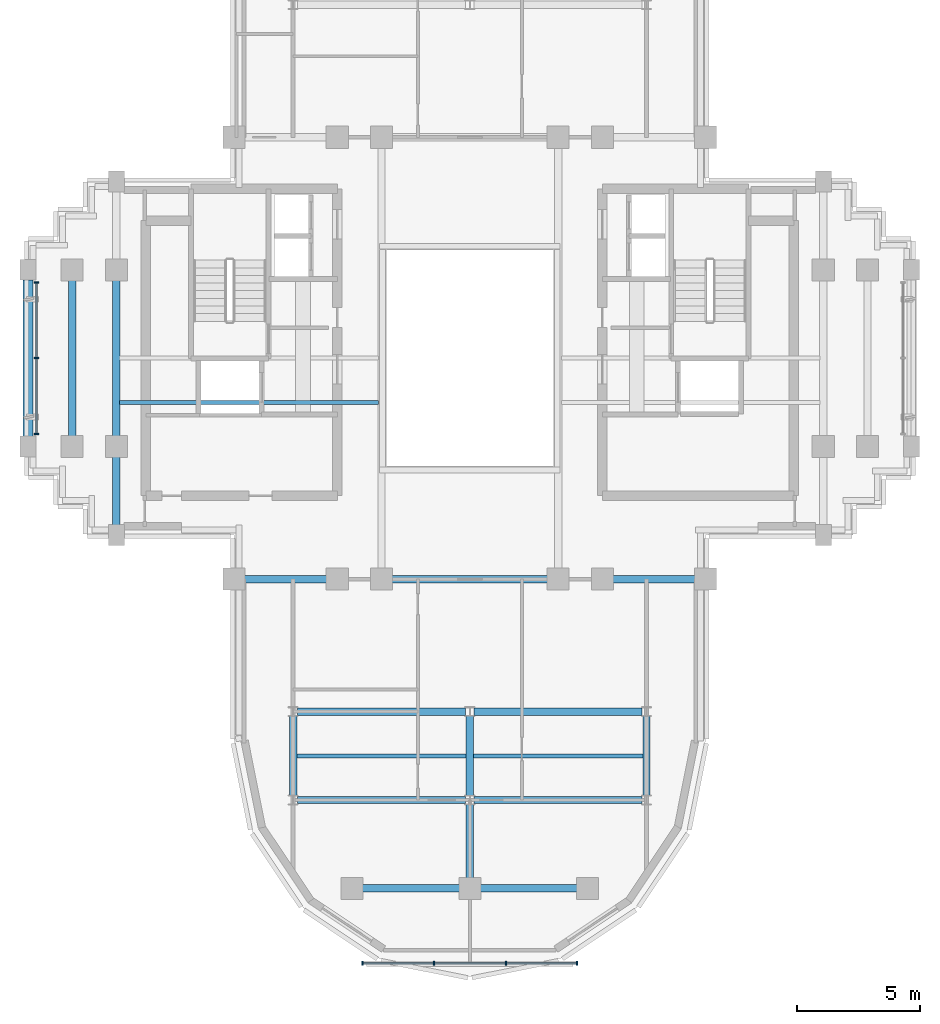
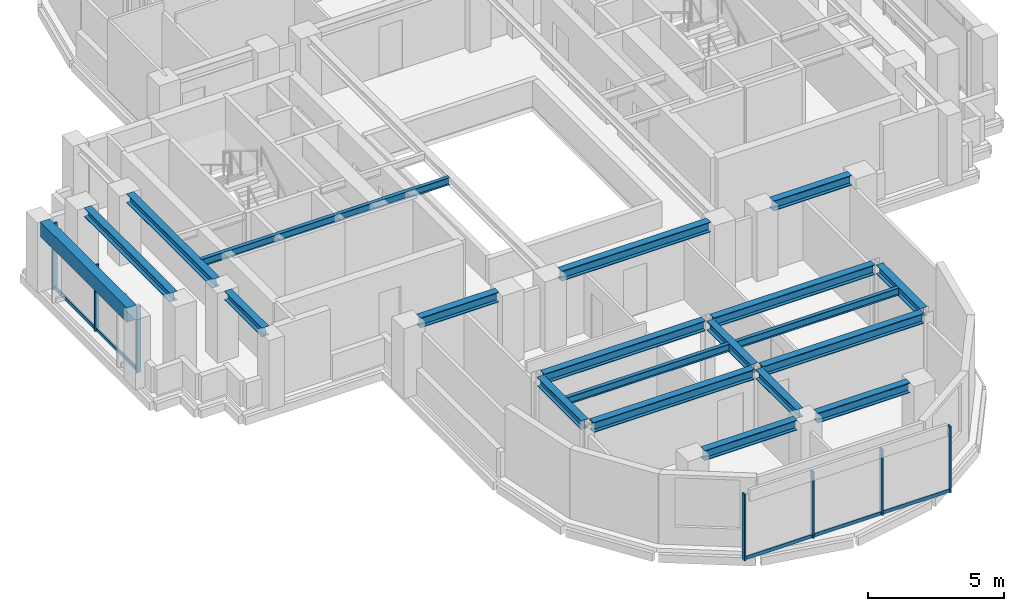
# One storey, part 2 of 11: 20 beams, 12 members, 2 elements without a shape of their own.
"""IFC4 building model written with IfcOpenShell, lengths in metres."""

from ifc_helpers import new_model, si_unit, direction, frame, origin, origin_2d, place, context, subcontext, project, spatial, rectangle, i_section, extrude, source, transform, mapped, material, material_profile, profile_set, type_object, element, aggregate, save


model = new_model("IFC4")

# Units and contexts
model_context = context("Model", 3, precision=1e-05, world=origin(), true_north=direction((0.0, 1.0)))
body_context = subcontext(model_context, "Body", "Model", "MODEL_VIEW")
ifc_project = project(units=[si_unit("LENGTHUNIT", "METRE"), si_unit("AREAUNIT", "SQUARE_METRE"), si_unit("VOLUMEUNIT", "CUBIC_METRE"), si_unit("PLANEANGLEUNIT", "RADIAN"), si_unit("MASSUNIT", "GRAM", prefix="KILO")], contexts=[model_context])

# Site, building, storey
site_placement = place(None, origin())
site = spatial("IfcSite", under=ifc_project, at=site_placement, CompositionType="ELEMENT")
building_placement = place(site_placement, origin())
building = spatial("IfcBuilding", under=site, at=building_placement, Name="Keilestroom Media Tower", CompositionType="ELEMENT")
storey_placement = place(building_placement, frame((0.0, 0.0, 211.39990234375)))
storey = spatial("IfcBuildingStorey", under=building, at=storey_placement, Name="L58", CompositionType="ELEMENT", Elevation=211.39990234375)

# Beams
ifc_material_1 = material(Name="Steel S355", Category="steel")
ifc_material_profile_1 = material_profile(ifc_material_1, i_section(OverallWidth=0.300048828125, OverallDepth=0.449951171875, WebThickness=0.011962890625, FlangeThickness=0.02587890625, at=origin_2d()), Name="HEB 450")
ifc_profile_set_1 = profile_set([ifc_material_profile_1], Name="Steel S355")
beam_type_1 = type_object("IfcBeamType", Name="Primary-Structural-Girder-HEB-450", PredefinedType="BEAM", material=ifc_profile_set_1)
shared_shape_1 = source(origin(), body_context, "Body", "SweptSolid", [
    extrude(i_section(OverallWidth=0.300048828125, OverallDepth=0.449951171875, WebThickness=0.011962890625, FlangeThickness=0.02587890625, at=origin_2d()), origin(), (0.0, 0.0, 1.0), 3.940185546875),
])
for number, where, z_axis, x_axis, name in (
    (1, (-4.3701171875, -21.60009765625, 2.9150390625), (1.0, 0.0, 0.0), (0.0, 1.0, 0.0), "L58 Beam BG-7 BM-L58-EW-001"),
    (2, (0.429931640625, -21.60009765625, 2.9150390625), (1.0, 0.0, 0.0), (0.0, 1.0, 0.0), "L58 Beam BG-7 BM-L58-EW-002"),
):
    element("IfcBeam", number, at=place(storey_placement, frame(where, z_axis=z_axis, x_axis=x_axis)), inside=storey, type_object=beam_type_1, Name=name, PredefinedType="BEAM", context=body_context, shape_type="MappedRepresentation", body=[
        mapped(shared_shape_1, transform((0.0, 0.0, 0.0), x_axis=(1.0, 0.0, 0.0), y_axis=(0.0, 1.0, 0.0), z_axis=(0.0, 0.0, 1.0), scale=1.0)),
    ])
shared_shape_2 = source(origin(), body_context, "Body", "SweptSolid", [
    extrude(i_section(OverallWidth=0.300048828125, OverallDepth=0.449951171875, WebThickness=0.011962890625, FlangeThickness=0.02587890625, at=origin_2d()), origin(), (0.0, 0.0, 1.0), 6.842041015625),
])
for number, where, z_axis, x_axis, name in (
    (3, (-7.02099609375, -18.0, 2.9150390625), (1.0, 0.0, 0.0), (0.0, 1.0, 0.0), "L58 Beam BG-7 BM-L58-EW-003"),
    (4, (0.178955078125, -18.0, 2.9150390625), (1.0, 0.0, 0.0), (0.0, 1.0, 0.0), "L58 Beam BG-7 BM-L58-EW-004"),
    (5, (-7.02099609375, -14.39990234375, 2.9150390625), (1.0, 0.0, 0.0), (0.0, 1.0, 0.0), "L58 Beam BG-7 BM-L58-EW-005"),
    (6, (0.178955078125, -14.39990234375, 2.9150390625), (1.0, 0.0, 0.0), (0.0, 1.0, 0.0), "L58 Beam BG-7 BM-L58-EW-006"),
):
    element("IfcBeam", number, at=place(storey_placement, frame(where, z_axis=z_axis, x_axis=x_axis)), inside=storey, type_object=beam_type_1, Name=name, PredefinedType="BEAM", context=body_context, shape_type="MappedRepresentation", body=[
        mapped(shared_shape_2, transform((0.0, 0.0, 0.0), x_axis=(1.0, 0.0, 0.0), y_axis=(0.0, 1.0, 0.0), z_axis=(0.0, 0.0, 1.0), scale=1.0)),
    ])
shared_shape_3 = source(origin(), body_context, "Body", "SweptSolid", [
    extrude(i_section(OverallWidth=0.300048828125, OverallDepth=0.449951171875, WebThickness=0.011962890625, FlangeThickness=0.02587890625, at=origin_2d()), origin(), (0.0, 0.0, 1.0), 3.33984375),
])
for number, where, z_axis, x_axis, name in (
    (7, (-9.169921875, -9.0, 2.9150390625), (1.0, 0.0, 0.0), (0.0, 1.0, 0.0), "L58 Beam BG-7 BM-L58-EW-007"),
    (8, (5.830078125, -9.0, 2.9150390625), (1.0, 0.0, 0.0), (0.0, 1.0, 0.0), "L58 Beam BG-7 BM-L58-EW-011"),
):
    element("IfcBeam", number, at=place(storey_placement, frame(where, z_axis=z_axis, x_axis=x_axis)), inside=storey, type_object=beam_type_1, Name=name, PredefinedType="BEAM", context=body_context, shape_type="MappedRepresentation", body=[
        mapped(shared_shape_3, transform((0.0, 0.0, 0.0), x_axis=(1.0, 0.0, 0.0), y_axis=(0.0, 1.0, 0.0), z_axis=(0.0, 0.0, 1.0), scale=1.0)),
    ])
shared_shape_4 = source(origin(), body_context, "Body", "SweptSolid", [
    extrude(i_section(OverallWidth=0.300048828125, OverallDepth=0.449951171875, WebThickness=0.011962890625, FlangeThickness=0.02587890625, at=origin_2d()), origin(), (0.0, 0.0, 1.0), 6.33984375),
])
beam_1_placement = place(storey_placement, frame((-3.169921875, -9.0, 2.9150390625), z_axis=(1.0, 0.0, 0.0), x_axis=(0.0, 1.0, 0.0)))
element("IfcBeam", 9, at=beam_1_placement, inside=storey, type_object=beam_type_1, Name="L58 Beam BG-7 BM-L58-EW-009", PredefinedType="BEAM", context=body_context, shape_type="MappedRepresentation", body=[
    mapped(shared_shape_4, transform((0.0, 0.0, 0.0), x_axis=(1.0, 0.0, 0.0), y_axis=(0.0, 1.0, 0.0), z_axis=(0.0, 0.0, 1.0), scale=1.0)),
])
ifc_material_2 = material(Name="Precast concrete C40/50", Category="concrete")
ifc_material_profile_2 = material_profile(ifc_material_2, rectangle(XDim=0.39990234375, YDim=0.64990234375, at=origin_2d()), Name="PC 400x650")
ifc_profile_set_2 = profile_set([ifc_material_profile_2], Name="Precast concrete C40/50")
beam_type_2 = type_object("IfcBeamType", Name="Perimeter-Spandrel-Beam-PC-400x650", PredefinedType="SPANDREL", material=ifc_profile_set_2)
shared_shape_5 = source(origin(), body_context, "Body", "SweptSolid", [
    extrude(rectangle(XDim=0.39990234375, YDim=0.64990234375, at=origin_2d()), origin(), (0.0, 0.0, 1.0), 6.39013671875),
])
beam_2_placement = place(storey_placement, frame((-18.0, -3.195068359375, 2.815185546875), z_axis=(0.0, 1.0, 0.0), x_axis=(-1.0, 0.0, 0.0)))
element("IfcBeam", 10, at=beam_2_placement, inside=storey, type_object=beam_type_2, Name="L58 Beam SPB-2 BM-L58-NS-031", PredefinedType="SPANDREL", context=body_context, shape_type="MappedRepresentation", body=[
    mapped(shared_shape_5, transform((0.0, 0.0, 0.0), x_axis=(1.0, 0.0, 0.0), y_axis=(0.0, 1.0, 0.0), z_axis=(0.0, 0.0, 1.0), scale=1.0)),
])
ifc_material_profile_3 = material_profile(ifc_material_1, i_section(OverallWidth=0.300048828125, OverallDepth=0.39990234375, WebThickness=0.011474609375, FlangeThickness=0.02392578125, at=origin_2d()), Name="HEB 400")
ifc_profile_set_3 = profile_set([ifc_material_profile_3], Name="Steel S355")
beam_type_3 = type_object("IfcBeamType", Name="Primary-Structural-Girder-HEB-400", PredefinedType="BEAM", material=ifc_profile_set_3)
shared_shape_6 = source(origin(), body_context, "Body", "SweptSolid", [
    extrude(i_section(OverallWidth=0.300048828125, OverallDepth=0.39990234375, WebThickness=0.011474609375, FlangeThickness=0.02392578125, at=origin_2d()), origin(), (0.0, 0.0, 1.0), 6.33984375),
])
for number, where, z_axis, x_axis, name in (
    (11, (-16.199951171875, -3.169921875, 2.940185546875), (0.0, 1.0, 0.0), (-1.0, 0.0, 0.0), "L58 Beam BG-8 BM-L58-NS-032"),
    (12, (-14.39990234375, -3.169921875, 2.940185546875), (0.0, 1.0, 0.0), (-1.0, 0.0, 0.0), "L58 Beam BG-8 BM-L58-NS-034"),
):
    element("IfcBeam", number, at=place(storey_placement, frame(where, z_axis=z_axis, x_axis=x_axis)), inside=storey, type_object=beam_type_3, Name=name, PredefinedType="BEAM", context=body_context, shape_type="MappedRepresentation", body=[
        mapped(shared_shape_6, transform((0.0, 0.0, 0.0), x_axis=(1.0, 0.0, 0.0), y_axis=(0.0, 1.0, 0.0), z_axis=(0.0, 0.0, 1.0), scale=1.0)),
    ])
shared_shape_7 = source(origin(), body_context, "Body", "SweptSolid", [
    extrude(i_section(OverallWidth=0.300048828125, OverallDepth=0.39990234375, WebThickness=0.011474609375, FlangeThickness=0.02392578125, at=origin_2d()), origin(), (0.0, 0.0, 1.0), 2.764892578125),
])
beam_3_placement = place(storey_placement, frame((-14.39990234375, -6.794921875, 2.940185546875), z_axis=(0.0, 1.0, 0.0), x_axis=(-1.0, 0.0, 0.0)))
element("IfcBeam", 13, at=beam_3_placement, inside=storey, type_object=beam_type_3, Name="L58 Beam BG-8 BM-L58-NS-033", PredefinedType="BEAM", context=body_context, shape_type="MappedRepresentation", body=[
    mapped(shared_shape_7, transform((0.0, 0.0, 0.0), x_axis=(1.0, 0.0, 0.0), y_axis=(0.0, 1.0, 0.0), z_axis=(0.0, 0.0, 1.0), scale=1.0)),
])
shared_shape_8 = source(origin(), body_context, "Body", "SweptSolid", [
    extrude(i_section(OverallWidth=0.300048828125, OverallDepth=0.39990234375, WebThickness=0.011474609375, FlangeThickness=0.02392578125, at=origin_2d()), origin(), (0.0, 0.0, 1.0), 3.2529296875),
])
for number, where, z_axis, x_axis, name in (
    (14, (-7.199951171875, -17.826416015625, 2.940185546875), (0.0, 1.0, 0.0), (-1.0, 0.0, 0.0), "L58 Beam BG-8 BM-L58-NS-037"),
    (15, (0.0, -17.826416015625, 2.940185546875), (0.0, 1.0, 0.0), (-1.0, 0.0, 0.0), "L58 Beam BG-8 BM-L58-NS-042"),
    (16, (7.199951171875, -17.826416015625, 2.940185546875), (0.0, 1.0, 0.0), (-1.0, 0.0, 0.0), "L58 Beam BG-8 BM-L58-NS-047"),
):
    element("IfcBeam", number, at=place(storey_placement, frame(where, z_axis=z_axis, x_axis=x_axis)), inside=storey, type_object=beam_type_3, Name=name, PredefinedType="BEAM", context=body_context, shape_type="MappedRepresentation", body=[
        mapped(shared_shape_8, transform((0.0, 0.0, 0.0), x_axis=(1.0, 0.0, 0.0), y_axis=(0.0, 1.0, 0.0), z_axis=(0.0, 0.0, 1.0), scale=1.0)),
    ])
shared_shape_9 = source(origin(), body_context, "Body", "SweptSolid", [
    extrude(i_section(OverallWidth=0.300048828125, OverallDepth=0.39990234375, WebThickness=0.011474609375, FlangeThickness=0.02392578125, at=origin_2d()), origin(), (0.0, 0.0, 1.0), 2.996337890625),
])
beam_4_placement = place(storey_placement, frame((0.0, -21.169921875, 2.940185546875), z_axis=(0.0, 1.0, 0.0), x_axis=(-1.0, 0.0, 0.0)))
element("IfcBeam", 17, at=beam_4_placement, inside=storey, type_object=beam_type_3, Name="L58 Beam BG-8 BM-L58-NS-041", PredefinedType="BEAM", context=body_context, shape_type="MappedRepresentation", body=[
    mapped(shared_shape_9, transform((0.0, 0.0, 0.0), x_axis=(1.0, 0.0, 0.0), y_axis=(0.0, 1.0, 0.0), z_axis=(0.0, 0.0, 1.0), scale=1.0)),
])
ifc_material_profile_4 = material_profile(ifc_material_1, i_section(OverallWidth=0.159912109375, OverallDepth=0.330078125, WebThickness=0.007568359375, FlangeThickness=0.011474609375, at=origin_2d()), Name="IPE 330")
ifc_profile_set_4 = profile_set([ifc_material_profile_4], Name="Steel S355")
beam_type_4 = type_object("IfcBeamType", Name="Secondary-Floor-Joist-IPE-330", PredefinedType="JOIST", material=ifc_profile_set_4)
shared_shape_10 = source(origin(), body_context, "Body", "SweptSolid", [
    extrude(i_section(OverallWidth=0.159912109375, OverallDepth=0.330078125, WebThickness=0.007568359375, FlangeThickness=0.011474609375, at=origin_2d()), origin(), (0.0, 0.0, 1.0), 6.940185546875),
])
for number, where, z_axis, x_axis, name in (
    (18, (-7.070068359375, -16.199951171875, 2.97509765625), (1.0, 0.0, 0.0), (0.0, 1.0, 0.0), "L58 Beam BJ-6 JST-L58-055"),
    (19, (0.1298828125, -16.199951171875, 2.97509765625), (1.0, 0.0, 0.0), (0.0, 1.0, 0.0), "L58 Beam BJ-6 JST-L58-056"),
):
    element("IfcBeam", number, at=place(storey_placement, frame(where, z_axis=z_axis, x_axis=x_axis)), inside=storey, type_object=beam_type_4, Name=name, PredefinedType="JOIST", context=body_context, shape_type="MappedRepresentation", body=[
        mapped(shared_shape_10, transform((0.0, 0.0, 0.0), x_axis=(1.0, 0.0, 0.0), y_axis=(0.0, 1.0, 0.0), z_axis=(0.0, 0.0, 1.0), scale=1.0)),
    ])
shared_shape_11 = source(origin(), body_context, "Body", "SweptSolid", [
    extrude(i_section(OverallWidth=0.159912109375, OverallDepth=0.330078125, WebThickness=0.007568359375, FlangeThickness=0.011474609375, at=origin_2d()), origin(), (0.0, 0.0, 1.0), 10.5400390625),
])
beam_5_placement = place(storey_placement, frame((-14.27001953125, -1.800048828125, 2.97509765625), z_axis=(1.0, 0.0, 0.0), x_axis=(0.0, 1.0, 0.0)))
element("IfcBeam", 20, at=beam_5_placement, inside=storey, type_object=beam_type_4, Name="L58 Beam BJ-6 JST-L58-057", PredefinedType="JOIST", context=body_context, shape_type="MappedRepresentation", body=[
    mapped(shared_shape_11, transform((0.0, 0.0, 0.0), x_axis=(1.0, 0.0, 0.0), y_axis=(0.0, 1.0, 0.0), z_axis=(0.0, 0.0, 1.0), scale=1.0)),
])

# Curtain wall, members
ifc_material_3 = material(Name="Anodised Aluminium Alloy", Category="aluminium")
curtain_wall_type_1 = type_object("IfcCurtainWallType", Name="Unitised-Curtain-Wall-CW-6", PredefinedType="NOTDEFINED", material=ifc_material_3)
curtain_wall_1_placement = place(storey_placement, origin())
curtain_wall_1 = element("IfcCurtainWall", 21, at=curtain_wall_1_placement, inside=storey, type_object=curtain_wall_type_1, Name="L58 Curtain Wall CW-6 CW-L58-LS-1", PredefinedType="NOTDEFINED")
ifc_material_profile_5 = material_profile(ifc_material_3, rectangle(XDim=0.06494140625, YDim=0.179931640625, at=origin_2d()), Name="ALU MULLION 65x180")
ifc_profile_set_5 = profile_set([ifc_material_profile_5], Name="Anodised Aluminium Alloy")
member_type_1 = type_object("IfcMemberType", Name="Curtain-Wall-Mullion-CW-6", PredefinedType="MULLION", material=ifc_profile_set_5)
shared_shape_12 = source(origin(), body_context, "Body", "SweptSolid", [
    extrude(rectangle(XDim=0.06494140625, YDim=0.179931640625, at=origin_2d()), origin(), (0.0, 0.0, 1.0), 2.97998046875),
])
member_1_placement = place(storey_placement, frame((-4.367431640625, -24.64990234375, 0.0), z_axis=(0.0, 0.0, 1.0), x_axis=(1.0, 0.0, 0.0)))
member_1 = element("IfcMember", 22, at=member_1_placement, type_object=member_type_1, Name="CW-6 Mullion 00", PredefinedType="MULLION", context=body_context, shape_type="MappedRepresentation", body=[
    mapped(shared_shape_12, transform((0.0, 0.0, 0.0), x_axis=(1.0, 0.0, 0.0), y_axis=(0.0, 1.0, 0.0), z_axis=(0.0, 0.0, 1.0), scale=1.0)),
])
member_2_placement = place(storey_placement, frame((-1.466796875, -24.64990234375, 0.0), z_axis=(0.0, 0.0, 1.0), x_axis=(1.0, 0.0, 0.0)))
member_2 = element("IfcMember", 23, at=member_2_placement, type_object=member_type_1, Name="CW-6 Mullion 01", PredefinedType="MULLION", context=body_context, shape_type="MappedRepresentation", body=[
    mapped(shared_shape_12, transform((0.0, 0.0, 0.0), x_axis=(1.0, 0.0, 0.0), y_axis=(0.0, 1.0, 0.0), z_axis=(0.0, 0.0, 1.0), scale=1.0)),
])
member_3_placement = place(storey_placement, frame((1.466796875, -24.64990234375, 0.0), z_axis=(0.0, 0.0, 1.0), x_axis=(1.0, 0.0, 0.0)))
member_3 = element("IfcMember", 24, at=member_3_placement, type_object=member_type_1, Name="CW-6 Mullion 02", PredefinedType="MULLION", context=body_context, shape_type="MappedRepresentation", body=[
    mapped(shared_shape_12, transform((0.0, 0.0, 0.0), x_axis=(1.0, 0.0, 0.0), y_axis=(0.0, 1.0, 0.0), z_axis=(0.0, 0.0, 1.0), scale=1.0)),
])
member_4_placement = place(storey_placement, frame((4.367431640625, -24.64990234375, 0.0), z_axis=(0.0, 0.0, 1.0), x_axis=(1.0, 0.0, 0.0)))
member_4 = element("IfcMember", 25, at=member_4_placement, type_object=member_type_1, Name="CW-6 Mullion 03", PredefinedType="MULLION", context=body_context, shape_type="MappedRepresentation", body=[
    mapped(shared_shape_12, transform((0.0, 0.0, 0.0), x_axis=(1.0, 0.0, 0.0), y_axis=(0.0, 1.0, 0.0), z_axis=(0.0, 0.0, 1.0), scale=1.0)),
])
ifc_material_profile_6 = material_profile(ifc_material_3, rectangle(XDim=0.06494140625, YDim=0.14990234375, at=origin_2d()), Name="ALU TRANSOM 65x150")
ifc_profile_set_6 = profile_set([ifc_material_profile_6], Name="Anodised Aluminium Alloy")
member_type_2 = type_object("IfcMemberType", Name="Curtain-Wall-Transom-CW-6", PredefinedType="USERDEFINED", material=ifc_profile_set_6)
shared_shape_13 = source(origin(), body_context, "Body", "SweptSolid", [
    extrude(rectangle(XDim=0.06494140625, YDim=0.14990234375, at=origin_2d()), origin(), (0.0, 0.0, 1.0), 2.839599609375),
])
member_5_placement = place(storey_placement, frame((-4.3369140625, -24.64990234375, 0.0751953125), z_axis=(1.0, 0.0, 0.0), x_axis=(0.0, 1.0, 0.0)))
member_5 = element("IfcMember", 26, at=member_5_placement, type_object=member_type_2, Name="CW-6 Transom 00.1", ObjectType="TRANSOM", PredefinedType="USERDEFINED", context=body_context, shape_type="MappedRepresentation", body=[
    mapped(shared_shape_13, transform((0.0, 0.0, 0.0), x_axis=(1.0, 0.0, 0.0), y_axis=(0.0, 1.0, 0.0), z_axis=(0.0, 0.0, 1.0), scale=1.0)),
])
member_6_placement = place(storey_placement, frame((1.497314453125, -24.64990234375, 0.0751953125), z_axis=(1.0, 0.0, 0.0), x_axis=(0.0, 1.0, 0.0)))
member_6 = element("IfcMember", 27, at=member_6_placement, type_object=member_type_2, Name="CW-6 Transom 02.1", ObjectType="TRANSOM", PredefinedType="USERDEFINED", context=body_context, shape_type="MappedRepresentation", body=[
    mapped(shared_shape_13, transform((0.0, 0.0, 0.0), x_axis=(1.0, 0.0, 0.0), y_axis=(0.0, 1.0, 0.0), z_axis=(0.0, 0.0, 1.0), scale=1.0)),
])
shared_shape_14 = source(origin(), body_context, "Body", "SweptSolid", [
    extrude(rectangle(XDim=0.06494140625, YDim=0.14990234375, at=origin_2d()), origin(), (0.0, 0.0, 1.0), 2.87255859375),
])
member_7_placement = place(storey_placement, frame((-1.436279296875, -24.64990234375, 0.0751953125), z_axis=(1.0, 0.0, 0.0), x_axis=(0.0, 1.0, 0.0)))
member_7 = element("IfcMember", 28, at=member_7_placement, type_object=member_type_2, Name="CW-6 Transom 01.1", ObjectType="TRANSOM", PredefinedType="USERDEFINED", context=body_context, shape_type="MappedRepresentation", body=[
    mapped(shared_shape_14, transform((0.0, 0.0, 0.0), x_axis=(1.0, 0.0, 0.0), y_axis=(0.0, 1.0, 0.0), z_axis=(0.0, 0.0, 1.0), scale=1.0)),
])
aggregate(curtain_wall_1, [member_1, member_2, member_3, member_4, member_5, member_7, member_6])

curtain_wall_type_2 = type_object("IfcCurtainWallType", Name="Unitised-Curtain-Wall-CW-3", PredefinedType="NOTDEFINED", material=ifc_material_3)
curtain_wall_2_placement = place(storey_placement, origin())
curtain_wall_2 = element("IfcCurtainWall", 29, at=curtain_wall_2_placement, inside=storey, type_object=curtain_wall_type_2, Name="L58 Curtain Wall CW-3 CW-L58-W-1", PredefinedType="NOTDEFINED")
ifc_material_profile_7 = material_profile(ifc_material_3, rectangle(XDim=0.06494140625, YDim=0.179931640625, at=origin_2d()), Name="ALU MULLION 65x180")
ifc_profile_set_7 = profile_set([ifc_material_profile_7], Name="Anodised Aluminium Alloy")
member_type_3 = type_object("IfcMemberType", Name="Curtain-Wall-Mullion-CW-3", PredefinedType="MULLION", material=ifc_profile_set_7)
shared_shape_15 = source(origin(), body_context, "Body", "SweptSolid", [
    extrude(rectangle(XDim=0.06494140625, YDim=0.179931640625, at=origin_2d()), origin(), (0.0, 0.0, 1.0), 2.97998046875),
])
member_8_placement = place(storey_placement, frame((-17.64990234375, -3.08251953125, 0.0), z_axis=(0.0, 0.0, 1.0), x_axis=(0.0, 1.0, 0.0)))
member_8 = element("IfcMember", 30, at=member_8_placement, type_object=member_type_3, Name="CW-3 Mullion 00", PredefinedType="MULLION", context=body_context, shape_type="MappedRepresentation", body=[
    mapped(shared_shape_15, transform((0.0, 0.0, 0.0), x_axis=(1.0, 0.0, 0.0), y_axis=(0.0, 1.0, 0.0), z_axis=(0.0, 0.0, 1.0), scale=1.0)),
])
member_9_placement = place(storey_placement, frame((-17.64990234375, 0.0, 0.0), z_axis=(0.0, 0.0, 1.0), x_axis=(0.0, 1.0, 0.0)))
member_9 = element("IfcMember", 31, at=member_9_placement, type_object=member_type_3, Name="CW-3 Mullion 01", PredefinedType="MULLION", context=body_context, shape_type="MappedRepresentation", body=[
    mapped(shared_shape_15, transform((0.0, 0.0, 0.0), x_axis=(1.0, 0.0, 0.0), y_axis=(0.0, 1.0, 0.0), z_axis=(0.0, 0.0, 1.0), scale=1.0)),
])
member_10_placement = place(storey_placement, frame((-17.64990234375, 3.08251953125, 0.0), z_axis=(0.0, 0.0, 1.0), x_axis=(0.0, 1.0, 0.0)))
member_10 = element("IfcMember", 32, at=member_10_placement, type_object=member_type_3, Name="CW-3 Mullion 02", PredefinedType="MULLION", context=body_context, shape_type="MappedRepresentation", body=[
    mapped(shared_shape_15, transform((0.0, 0.0, 0.0), x_axis=(1.0, 0.0, 0.0), y_axis=(0.0, 1.0, 0.0), z_axis=(0.0, 0.0, 1.0), scale=1.0)),
])
ifc_material_profile_8 = material_profile(ifc_material_3, rectangle(XDim=0.06494140625, YDim=0.14990234375, at=origin_2d()), Name="ALU TRANSOM 65x150")
ifc_profile_set_8 = profile_set([ifc_material_profile_8], Name="Anodised Aluminium Alloy")
member_type_4 = type_object("IfcMemberType", Name="Curtain-Wall-Transom-CW-3", PredefinedType="USERDEFINED", material=ifc_profile_set_8)
shared_shape_16 = source(origin(), body_context, "Body", "SweptSolid", [
    extrude(rectangle(XDim=0.06494140625, YDim=0.14990234375, at=origin_2d()), origin(), (0.0, 0.0, 1.0), 3.021484375),
])
member_11_placement = place(storey_placement, frame((-17.64990234375, -3.052001953125, 0.0751953125), z_axis=(0.0, 1.0, 0.0), x_axis=(-1.0, 0.0, 0.0)))
member_11 = element("IfcMember", 33, at=member_11_placement, type_object=member_type_4, Name="CW-3 Transom 00.1", ObjectType="TRANSOM", PredefinedType="USERDEFINED", context=body_context, shape_type="MappedRepresentation", body=[
    mapped(shared_shape_16, transform((0.0, 0.0, 0.0), x_axis=(1.0, 0.0, 0.0), y_axis=(0.0, 1.0, 0.0), z_axis=(0.0, 0.0, 1.0), scale=1.0)),
])
member_12_placement = place(storey_placement, frame((-17.64990234375, 0.030517578125, 0.0751953125), z_axis=(0.0, 1.0, 0.0), x_axis=(-1.0, 0.0, 0.0)))
member_12 = element("IfcMember", 34, at=member_12_placement, type_object=member_type_4, Name="CW-3 Transom 01.1", ObjectType="TRANSOM", PredefinedType="USERDEFINED", context=body_context, shape_type="MappedRepresentation", body=[
    mapped(shared_shape_16, transform((0.0, 0.0, 0.0), x_axis=(1.0, 0.0, 0.0), y_axis=(0.0, 1.0, 0.0), z_axis=(0.0, 0.0, 1.0), scale=1.0)),
])
aggregate(curtain_wall_2, [member_8, member_9, member_10, member_11, member_12])

save(model, "model.ifc")
